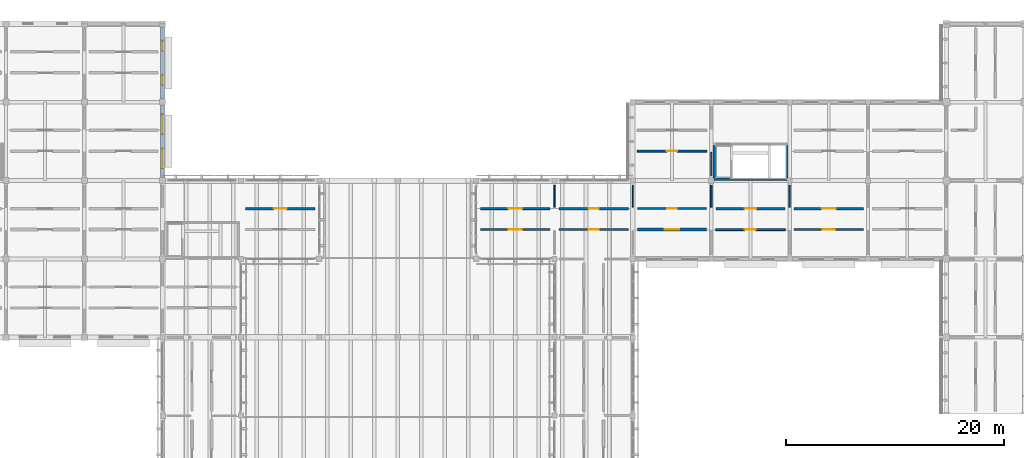
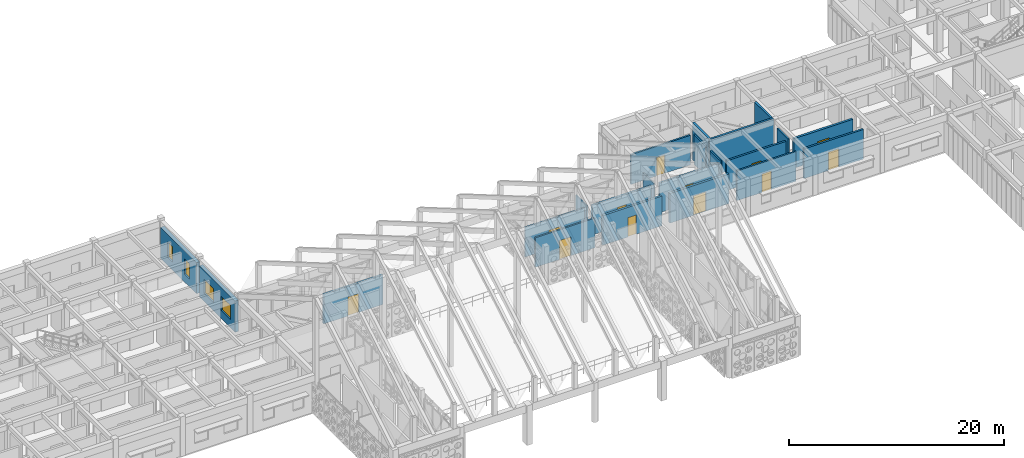
# One storey, part 131 of 171: 22 walls, 12 doors, 4 windows, 16 openings.
"""IFC4 building model written with IfcOpenShell, lengths in metres."""

from ifc_helpers import new_model, si_unit, direction, frame, frame_2d, origin, place, context, subcontext, project, spatial, rectangle, extrude, material, layer, layer_set, type_object, element, fill, save


model = new_model("IFC4")

# Units and contexts
model_context = context("Model", 3, precision=1e-05, world=origin(), true_north=direction((0.0, 1.0)))
body_context = subcontext(model_context, "Body", "Model", "MODEL_VIEW")
ifc_project = project(units=[si_unit("LENGTHUNIT", "METRE"), si_unit("AREAUNIT", "SQUARE_METRE"), si_unit("VOLUMEUNIT", "CUBIC_METRE"), si_unit("PLANEANGLEUNIT", "RADIAN"), si_unit("MASSUNIT", "GRAM", prefix="KILO")], contexts=[model_context])

# Site, building, storey
site_placement = place(None, origin())
site = spatial("IfcSite", under=ifc_project, at=site_placement, CompositionType="ELEMENT")
building_placement = place(site_placement, origin())
building = spatial("IfcBuilding", under=site, at=building_placement, Name="Aldebral Square Health Centre", CompositionType="ELEMENT")
storey_placement = place(building_placement, frame((0.0, 0.0, 4.5)))
storey = spatial("IfcBuildingStorey", under=building, at=storey_placement, Name="L01", CompositionType="ELEMENT", Elevation=4.5)

# Wall, openings, windows
ifc_material_1 = material(Name="Lead-lined concrete C40/50 radiology exterior wall", Category="concrete")
ifc_layer_1 = layer(ifc_material_1, 0.3798828125, Name="Lead-lined concrete C40/50 radiology exterior wall", Category="concrete")
ifc_layer_set_1 = layer_set([ifc_layer_1], Name="Lead-lined concrete C40/50 radiology exterior wall")
wall_type_1 = type_object("IfcWallType", Name="EW-SHD-380", PredefinedType="SOLIDWALL", material=ifc_layer_set_1)
wall_1_placement = place(storey_placement, frame((64.800048828125, 101.074951171875, 0.0), z_axis=(0.0, 0.0, 1.0), x_axis=(0.0, 1.0, 0.0)))
wall_1 = element("IfcWall", 1, at=wall_1_placement, inside=storey, type_object=wall_type_1, Name="L01 V2 exterior wall L01-V2-08-14-E", PredefinedType="SOLIDWALL", context=body_context, shape_type="SweptSolid", body=[
    extrude(rectangle(XDim=6.650146484375, YDim=0.3798828125, at=frame_2d((3.3251953125, 0.0))), origin(), (0.0, 0.0, 1.0), 3.52001953125),
])
opening_1_placement = place(wall_1_placement, frame((0.85009765625, 0.0, 0.89990234375)))
opening_1 = element("IfcOpeningElement", 2, at=opening_1_placement, cuts=wall_1, Name="Opening W34", PredefinedType="OPENING", context=body_context, shape_type="SweptSolid", body=[
    extrude(rectangle(XDim=1.800048828125, YDim=1.6201171875, at=frame_2d((0.89990234375, 0.81005859375))), frame((0.0, 0.199951171875, 0.0), z_axis=(0.0, -1.0, 0.0), x_axis=(1.0, 0.0, 0.0)), (0.0, 0.0, 1.0), 0.39990234375),
])
opening_2_placement = place(wall_1_placement, frame((4.0, 0.0, 0.89990234375)))
opening_2 = element("IfcOpeningElement", 3, at=opening_2_placement, cuts=wall_1, Name="Opening W34", PredefinedType="OPENING", context=body_context, shape_type="SweptSolid", body=[
    extrude(rectangle(XDim=1.800048828125, YDim=1.6201171875, at=frame_2d((0.89990234375, 0.81005859375))), frame((0.0, 0.199951171875, 0.0), z_axis=(0.0, -1.0, 0.0), x_axis=(1.0, 0.0, 0.0)), (0.0, 0.0, 1.0), 0.39990234375),
])
ifc_material_2 = material(Name="Thermally broken aluminium and low-E glass", Category="aluminium")
window_type_1 = type_object("IfcWindowType", Name="WIN-W34", PartitioningType="SINGLE_PANEL", PredefinedType="WINDOW", material=ifc_material_2)
window_1_placement = place(opening_1_placement, origin())
window_1 = element("IfcWindow", 4, at=window_1_placement, inside=storey, type_object=window_type_1, Name="L01 clinical window L01-V2-08-14-E.1", OverallHeight=1.6201171875, OverallWidth=1.800048828125, PartitioningType="SINGLE_PANEL", PredefinedType="WINDOW", context=body_context, shape_type="SweptSolid", body=[
    extrude(rectangle(XDim=1.800048828125, YDim=1.6201171875, at=frame_2d((0.89990234375, 0.81005859375))), frame((0.0, 0.030029296875, 0.0), z_axis=(0.0, -1.0, 0.0), x_axis=(1.0, 0.0, 0.0)), (0.0, 0.0, 1.0), 0.06005859375),
])
fill(opening_1, window_1)
window_2_placement = place(opening_2_placement, origin())
window_2 = element("IfcWindow", 5, at=window_2_placement, inside=storey, type_object=window_type_1, Name="L01 clinical window L01-V2-08-14-E.2", OverallHeight=1.6201171875, OverallWidth=1.800048828125, PartitioningType="SINGLE_PANEL", PredefinedType="WINDOW", context=body_context, shape_type="SweptSolid", body=[
    extrude(rectangle(XDim=1.800048828125, YDim=1.6201171875, at=frame_2d((0.89990234375, 0.81005859375))), frame((0.0, 0.030029296875, 0.0), z_axis=(0.0, -1.0, 0.0), x_axis=(1.0, 0.0, 0.0)), (0.0, 0.0, 1.0), 0.06005859375),
])
fill(opening_2, window_2)

wall_2_placement = place(storey_placement, frame((64.800048828125, 108.27490234375, 0.0), z_axis=(0.0, 0.0, 1.0), x_axis=(0.0, 1.0, 0.0)))
wall_2 = element("IfcWall", 6, at=wall_2_placement, inside=storey, type_object=wall_type_1, Name="L01 V2 exterior wall L01-V2-08-15-E", PredefinedType="SOLIDWALL", context=body_context, shape_type="SweptSolid", body=[
    extrude(rectangle(XDim=6.650146484375, YDim=0.3798828125, at=frame_2d((3.3251953125, 0.0))), origin(), (0.0, 0.0, 1.0), 3.52001953125),
])
opening_3_placement = place(wall_2_placement, frame((1.300048828125, 0.0, 0.89990234375)))
opening_3 = element("IfcOpeningElement", 7, at=opening_3_placement, cuts=wall_2, Name="Opening W37", PredefinedType="OPENING", context=body_context, shape_type="SweptSolid", body=[
    extrude(rectangle(XDim=0.89990234375, YDim=1.75, at=frame_2d((0.449951171875, 0.875))), frame((0.0, 0.199951171875, 0.0), z_axis=(0.0, -1.0, 0.0), x_axis=(1.0, 0.0, 0.0)), (0.0, 0.0, 1.0), 0.39990234375),
])
opening_4_placement = place(wall_2_placement, frame((4.449951171875, 0.0, 0.89990234375)))
opening_4 = element("IfcOpeningElement", 8, at=opening_4_placement, cuts=wall_2, Name="Opening W37", PredefinedType="OPENING", context=body_context, shape_type="SweptSolid", body=[
    extrude(rectangle(XDim=0.89990234375, YDim=1.75, at=frame_2d((0.449951171875, 0.875))), frame((0.0, 0.199951171875, 0.0), z_axis=(0.0, -1.0, 0.0), x_axis=(1.0, 0.0, 0.0)), (0.0, 0.0, 1.0), 0.39990234375),
])
window_type_2 = type_object("IfcWindowType", Name="WIN-W37", PartitioningType="SINGLE_PANEL", PredefinedType="WINDOW", material=ifc_material_2)
window_3_placement = place(opening_3_placement, origin())
window_3 = element("IfcWindow", 9, at=window_3_placement, inside=storey, type_object=window_type_2, Name="L01 clinical window L01-V2-08-15-E.1", OverallHeight=1.75, OverallWidth=0.89990234375, PartitioningType="SINGLE_PANEL", PredefinedType="WINDOW", context=body_context, shape_type="SweptSolid", body=[
    extrude(rectangle(XDim=0.89990234375, YDim=1.75, at=frame_2d((0.449951171875, 0.875))), frame((0.0, 0.030029296875, 0.0), z_axis=(0.0, -1.0, 0.0), x_axis=(1.0, 0.0, 0.0)), (0.0, 0.0, 1.0), 0.06005859375),
])
fill(opening_3, window_3)
window_4_placement = place(opening_4_placement, origin())
window_4 = element("IfcWindow", 10, at=window_4_placement, inside=storey, type_object=window_type_2, Name="L01 clinical window L01-V2-08-15-E.2", OverallHeight=1.75, OverallWidth=0.89990234375, PartitioningType="SINGLE_PANEL", PredefinedType="WINDOW", context=body_context, shape_type="SweptSolid", body=[
    extrude(rectangle(XDim=0.89990234375, YDim=1.75, at=frame_2d((0.449951171875, 0.875))), frame((0.0, 0.030029296875, 0.0), z_axis=(0.0, -1.0, 0.0), x_axis=(1.0, 0.0, 0.0)), (0.0, 0.0, 1.0), 0.06005859375),
])
fill(opening_4, window_4)

# Wall, opening, door
ifc_material_3 = material(Name="Concrete C35/45 compartment wall", Category="concrete")
ifc_layer_2 = layer(ifc_material_3, 0.199951171875, Name="Concrete C35/45 compartment wall", Category="concrete")
ifc_layer_set_2 = layer_set([ifc_layer_2], Name="Concrete C35/45 compartment wall")
wall_type_2 = type_object("IfcWallType", Name="IW-CMP-200", PredefinedType="SOLIDWALL", material=ifc_layer_set_2)
wall_3_placement = place(storey_placement, frame((108.419921875, 98.219970703125, 0.0), z_axis=(0.0, 0.0, 1.0), x_axis=(1.0, 0.0, 0.0)))
wall_3 = element("IfcWall", 11, at=wall_3_placement, inside=storey, type_object=wall_type_2, Name="L01 Pulmonary Function Clinic 16.14N corridor wall", PredefinedType="SOLIDWALL", context=body_context, shape_type="SweptSolid", body=[
    extrude(rectangle(XDim=6.360107421875, YDim=0.199951171875, at=frame_2d((3.18017578125, 0.0))), origin(), (0.0, 0.0, 1.0), 3.360107421875),
])
opening_5_placement = place(wall_3_placement, frame((2.72998046875, 0.0, 0.0)))
opening_5 = element("IfcOpeningElement", 12, at=opening_5_placement, cuts=wall_3, Name="Opening D-0307", PredefinedType="OPENING", context=body_context, shape_type="SweptSolid", body=[
    extrude(rectangle(XDim=0.89990234375, YDim=2.090087890625, at=frame_2d((0.449951171875, 1.044921875))), frame((0.0, 0.10986328125, 0.0), z_axis=(0.0, -1.0, 0.0), x_axis=(1.0, 0.0, 0.0)), (0.0, 0.0, 1.0), 0.219970703125),
])
ifc_material_4 = material(Name="Clinical suite fire door")
door_type_1 = type_object("IfcDoorType", Name="ID-EXD-16", OperationType="NOTDEFINED", PredefinedType="DOOR", material=ifc_material_4)
door_1_placement = place(opening_5_placement, origin())
door_1 = element("IfcDoor", 13, at=door_1_placement, inside=storey, type_object=door_type_1, Name="L01 Pulmonary Function Clinic 16.14N door", OperationType="SINGLE_SWING_RIGHT", OverallHeight=2.090087890625, OverallWidth=0.89990234375, PredefinedType="DOOR", context=body_context, shape_type="SweptSolid", body=[
    extrude(rectangle(XDim=0.89990234375, YDim=2.090087890625, at=frame_2d((0.449951171875, 1.044921875))), frame((0.0, 0.02490234375, 0.0), z_axis=(0.0, -1.0, 0.0), x_axis=(1.0, 0.0, 0.0)), (0.0, 0.0, 1.0), 0.050048828125),
])
fill(opening_5, door_1)

ifc_layer_3 = layer(ifc_material_3, 0.219970703125, Name="Concrete C35/45 compartment wall", Category="concrete")
ifc_layer_set_3 = layer_set([ifc_layer_3], Name="Concrete C35/45 compartment wall")
wall_type_3 = type_object("IfcWallType", Name="IW-CMP-220", PredefinedType="SOLIDWALL", material=ifc_layer_set_3)
wall_4_placement = place(storey_placement, frame((101.219970703125, 96.300048828125, 0.0), z_axis=(0.0, 0.0, 1.0), x_axis=(1.0, 0.0, 0.0)))
wall_4 = element("IfcWall", 14, at=wall_4_placement, inside=storey, type_object=wall_type_3, Name="L01 Waiting Gallery 15.14S corridor wall", PredefinedType="SOLIDWALL", context=body_context, shape_type="SweptSolid", body=[
    extrude(rectangle(XDim=6.360107421875, YDim=0.219970703125, at=frame_2d((3.18017578125, 0.0))), origin(), (0.0, 0.0, 1.0), 3.360107421875),
])
opening_6_placement = place(wall_4_placement, frame((2.72998046875, 0.0, 0.0)))
opening_6 = element("IfcOpeningElement", 15, at=opening_6_placement, cuts=wall_4, Name="Opening D-0201", PredefinedType="OPENING", context=body_context, shape_type="SweptSolid", body=[
    extrude(rectangle(XDim=0.89990234375, YDim=2.18994140625, at=frame_2d((0.449951171875, 1.094970703125))), frame((0.0, 0.1201171875, 0.0), z_axis=(0.0, -1.0, 0.0), x_axis=(1.0, 0.0, 0.0)), (0.0, 0.0, 1.0), 0.239990234375),
])
door_type_2 = type_object("IfcDoorType", Name="ID-EXD-48", OperationType="NOTDEFINED", PredefinedType="DOOR", material=ifc_material_4)
door_2_placement = place(opening_6_placement, origin())
door_2 = element("IfcDoor", 16, at=door_2_placement, inside=storey, type_object=door_type_2, Name="L01 Waiting Gallery 15.14S door", OperationType="SINGLE_SWING_RIGHT", OverallHeight=2.18994140625, OverallWidth=0.89990234375, PredefinedType="DOOR", context=body_context, shape_type="SweptSolid", body=[
    extrude(rectangle(XDim=0.89990234375, YDim=2.18994140625, at=frame_2d((0.449951171875, 1.094970703125))), frame((0.0, 0.02490234375, 0.0), z_axis=(0.0, -1.0, 0.0), x_axis=(1.0, 0.0, 0.0)), (0.0, 0.0, 1.0), 0.050048828125),
])
fill(opening_6, door_2)

wall_5_placement = place(storey_placement, frame((101.219970703125, 98.219970703125, 0.0), z_axis=(0.0, 0.0, 1.0), x_axis=(1.0, 0.0, 0.0)))
wall_5 = element("IfcWall", 17, at=wall_5_placement, inside=storey, type_object=wall_type_3, Name="L01 Patient Information Desk 15.14N corridor wall", PredefinedType="SOLIDWALL", context=body_context, shape_type="SweptSolid", body=[
    extrude(rectangle(XDim=6.360107421875, YDim=0.219970703125, at=frame_2d((3.18017578125, 0.0))), origin(), (0.0, 0.0, 1.0), 3.360107421875),
])
opening_7_placement = place(wall_5_placement, frame((2.7099609375, 0.0, 0.0)))
opening_7 = element("IfcOpeningElement", 18, at=opening_7_placement, cuts=wall_5, Name="Opening D-0202", PredefinedType="OPENING", context=body_context, shape_type="SweptSolid", body=[
    extrude(rectangle(XDim=0.93994140625, YDim=2.18994140625, at=frame_2d((0.469970703125, 1.094970703125))), frame((0.0, 0.1201171875, 0.0), z_axis=(0.0, -1.0, 0.0), x_axis=(1.0, 0.0, 0.0)), (0.0, 0.0, 1.0), 0.239990234375),
])
door_type_3 = type_object("IfcDoorType", Name="ID-EXD-49", OperationType="NOTDEFINED", PredefinedType="DOOR", material=ifc_material_4)
door_3_placement = place(opening_7_placement, origin())
door_3 = element("IfcDoor", 19, at=door_3_placement, inside=storey, type_object=door_type_3, Name="L01 Patient Information Desk 15.14N door", OperationType="SINGLE_SWING_LEFT", OverallHeight=2.18994140625, OverallWidth=0.93994140625, PredefinedType="DOOR", context=body_context, shape_type="SweptSolid", body=[
    extrude(rectangle(XDim=0.93994140625, YDim=2.18994140625, at=frame_2d((0.469970703125, 1.094970703125))), frame((0.0, 0.02490234375, 0.0), z_axis=(0.0, -1.0, 0.0), x_axis=(1.0, 0.0, 0.0)), (0.0, 0.0, 1.0), 0.050048828125),
])
fill(opening_7, door_3)

ifc_material_5 = material(Name="Fire-rated acoustic gypsum partition")
ifc_layer_4 = layer(ifc_material_5, 0.1650390625, Name="Fire-rated acoustic gypsum partition")
ifc_layer_set_4 = layer_set([ifc_layer_4], Name="Fire-rated acoustic gypsum partition")
wall_type_4 = type_object("IfcWallType", Name="IW-COR-165", PredefinedType="PARTITIONING", material=ifc_layer_set_4)
wall_6_placement = place(storey_placement, frame((94.02001953125, 96.300048828125, 0.0), z_axis=(0.0, 0.0, 1.0), x_axis=(1.0, 0.0, 0.0)))
wall_6 = element("IfcWall", 20, at=wall_6_placement, inside=storey, type_object=wall_type_4, Name="L01 Waiting Gallery 14.14S corridor wall", PredefinedType="PARTITIONING", context=body_context, shape_type="SweptSolid", body=[
    extrude(rectangle(XDim=6.35986328125, YDim=0.1650390625, at=frame_2d((3.179931640625, 0.0))), origin(), (0.0, 0.0, 1.0), 3.360107421875),
])
opening_8_placement = place(wall_6_placement, frame((2.570068359375, 0.0, 0.0)))
opening_8 = element("IfcOpeningElement", 21, at=opening_8_placement, cuts=wall_6, Name="Opening D-0193", PredefinedType="OPENING", context=body_context, shape_type="SweptSolid", body=[
    extrude(rectangle(XDim=1.219970703125, YDim=2.139892578125, at=frame_2d((0.60986328125, 1.06982421875))), frame((0.0, 0.092529296875, 0.0), z_axis=(0.0, -1.0, 0.0), x_axis=(1.0, 0.0, 0.0)), (0.0, 0.0, 1.0), 0.18505859375),
])
door_type_4 = type_object("IfcDoorType", Name="ID-EXD-40", OperationType="NOTDEFINED", PredefinedType="DOOR", material=ifc_material_4)
door_4_placement = place(opening_8_placement, origin())
door_4 = element("IfcDoor", 22, at=door_4_placement, inside=storey, type_object=door_type_4, Name="L01 Waiting Gallery 14.14S door", OperationType="SINGLE_SWING_RIGHT", OverallHeight=2.139892578125, OverallWidth=1.219970703125, PredefinedType="DOOR", context=body_context, shape_type="SweptSolid", body=[
    extrude(rectangle(XDim=1.219970703125, YDim=2.139892578125, at=frame_2d((0.60986328125, 1.06982421875))), frame((0.0, 0.02490234375, 0.0), z_axis=(0.0, -1.0, 0.0), x_axis=(1.0, 0.0, 0.0)), (0.0, 0.0, 1.0), 0.050048828125),
])
fill(opening_8, door_4)

wall_7_placement = place(storey_placement, frame((94.02001953125, 98.219970703125, 0.0), z_axis=(0.0, 0.0, 1.0), x_axis=(1.0, 0.0, 0.0)))
wall_7 = element("IfcWall", 23, at=wall_7_placement, inside=storey, type_object=wall_type_4, Name="L01 Patient Information Desk 14.14N corridor wall", PredefinedType="PARTITIONING", context=body_context, shape_type="SweptSolid", body=[
    extrude(rectangle(XDim=6.35986328125, YDim=0.1650390625, at=frame_2d((3.179931640625, 0.0))), origin(), (0.0, 0.0, 1.0), 3.360107421875),
])
opening_9_placement = place(wall_7_placement, frame((2.550048828125, 0.0, 0.0)))
opening_9 = element("IfcOpeningElement", 24, at=opening_9_placement, cuts=wall_7, Name="Opening D-0194", PredefinedType="OPENING", context=body_context, shape_type="SweptSolid", body=[
    extrude(rectangle(XDim=1.260009765625, YDim=2.139892578125, at=frame_2d((0.6298828125, 1.06982421875))), frame((0.0, 0.092529296875, 0.0), z_axis=(0.0, -1.0, 0.0), x_axis=(1.0, 0.0, 0.0)), (0.0, 0.0, 1.0), 0.18505859375),
])
door_type_5 = type_object("IfcDoorType", Name="ID-EXD-41", OperationType="NOTDEFINED", PredefinedType="DOOR", material=ifc_material_4)
door_5_placement = place(opening_9_placement, origin())
door_5 = element("IfcDoor", 25, at=door_5_placement, inside=storey, type_object=door_type_5, Name="L01 Patient Information Desk 14.14N door", OperationType="SINGLE_SWING_LEFT", OverallHeight=2.139892578125, OverallWidth=1.260009765625, PredefinedType="DOOR", context=body_context, shape_type="SweptSolid", body=[
    extrude(rectangle(XDim=1.260009765625, YDim=2.139892578125, at=frame_2d((0.6298828125, 1.06982421875))), frame((0.0, 0.02490234375, 0.0), z_axis=(0.0, -1.0, 0.0), x_axis=(1.0, 0.0, 0.0)), (0.0, 0.0, 1.0), 0.050048828125),
])
fill(opening_9, door_5)

ifc_layer_5 = layer(ifc_material_5, 0.179931640625, Name="Fire-rated acoustic gypsum partition")
ifc_layer_set_5 = layer_set([ifc_layer_5], Name="Fire-rated acoustic gypsum partition")
wall_type_5 = type_object("IfcWallType", Name="IW-COR-180", PredefinedType="PARTITIONING", material=ifc_layer_set_5)
wall_8_placement = place(storey_placement, frame((108.419921875, 103.5, 0.0), z_axis=(0.0, 0.0, 1.0), x_axis=(1.0, 0.0, 0.0)))
wall_8 = element("IfcWall", 26, at=wall_8_placement, inside=storey, type_object=wall_type_5, Name="L01 Audiology Testing Booth 16.15S corridor wall", PredefinedType="PARTITIONING", context=body_context, shape_type="SweptSolid", body=[
    extrude(rectangle(XDim=6.360107421875, YDim=0.179931640625, at=frame_2d((3.18017578125, 0.0))), origin(), (0.0, 0.0, 1.0), 3.360107421875),
])
opening_10_placement = place(wall_8_placement, frame((2.7099609375, 0.0, 0.0)))
opening_10 = element("IfcOpeningElement", 27, at=opening_10_placement, cuts=wall_8, Name="Opening D-0308", PredefinedType="OPENING", context=body_context, shape_type="SweptSolid", body=[
    extrude(rectangle(XDim=0.93994140625, YDim=2.090087890625, at=frame_2d((0.469970703125, 1.044921875))), frame((0.0, 0.10009765625, 0.0), z_axis=(0.0, -1.0, 0.0), x_axis=(1.0, 0.0, 0.0)), (0.0, 0.0, 1.0), 0.199951171875),
])
door_type_6 = type_object("IfcDoorType", Name="ID-EXD-17", OperationType="NOTDEFINED", PredefinedType="DOOR", material=ifc_material_4)
door_6_placement = place(opening_10_placement, origin())
door_6 = element("IfcDoor", 28, at=door_6_placement, inside=storey, type_object=door_type_6, Name="L01 Audiology Testing Booth 16.15S door", OperationType="SINGLE_SWING_LEFT", OverallHeight=2.090087890625, OverallWidth=0.93994140625, PredefinedType="DOOR", context=body_context, shape_type="SweptSolid", body=[
    extrude(rectangle(XDim=0.93994140625, YDim=2.090087890625, at=frame_2d((0.469970703125, 1.044921875))), frame((0.0, 0.02490234375, 0.0), z_axis=(0.0, -1.0, 0.0), x_axis=(1.0, 0.0, 0.0)), (0.0, 0.0, 1.0), 0.050048828125),
])
fill(opening_10, door_6)

wall_9_placement = place(storey_placement, frame((115.6201171875, 96.300048828125, 0.0), z_axis=(0.0, 0.0, 1.0), x_axis=(1.0, 0.0, 0.0)))
wall_9 = element("IfcWall", 29, at=wall_9_placement, inside=storey, type_object=wall_type_5, Name="L01 Clean Supply Store 17.14S corridor wall", PredefinedType="PARTITIONING", context=body_context, shape_type="SweptSolid", body=[
    extrude(rectangle(XDim=6.35986328125, YDim=0.179931640625, at=frame_2d((3.179931640625, 0.0))), origin(), (0.0, 0.0, 1.0), 3.360107421875),
])
opening_11_placement = place(wall_9_placement, frame((2.669921875, 0.0, 0.0)))
opening_11 = element("IfcOpeningElement", 30, at=opening_11_placement, cuts=wall_9, Name="Opening D-0310", PredefinedType="OPENING", context=body_context, shape_type="SweptSolid", body=[
    extrude(rectangle(XDim=1.02001953125, YDim=2.090087890625, at=frame_2d((0.510009765625, 1.044921875))), frame((0.0, 0.10009765625, 0.0), z_axis=(0.0, -1.0, 0.0), x_axis=(1.0, 0.0, 0.0)), (0.0, 0.0, 1.0), 0.199951171875),
])
door_type_7 = type_object("IfcDoorType", Name="ID-EXD-19", OperationType="NOTDEFINED", PredefinedType="DOOR", material=ifc_material_4)
door_7_placement = place(opening_11_placement, origin())
door_7 = element("IfcDoor", 31, at=door_7_placement, inside=storey, type_object=door_type_7, Name="L01 Clean Supply Store 17.14S door", OperationType="SINGLE_SWING_LEFT", OverallHeight=2.090087890625, OverallWidth=1.02001953125, PredefinedType="DOOR", context=body_context, shape_type="SweptSolid", body=[
    extrude(rectangle(XDim=1.02001953125, YDim=2.090087890625, at=frame_2d((0.510009765625, 1.044921875))), frame((0.0, 0.02490234375, 0.0), z_axis=(0.0, -1.0, 0.0), x_axis=(1.0, 0.0, 0.0)), (0.0, 0.0, 1.0), 0.050048828125),
])
fill(opening_11, door_7)

# Walls
ifc_material_6 = material(Name="Concrete C40/50", Category="concrete")
ifc_layer_6 = layer(ifc_material_6, 0.219970703125, Name="Concrete C40/50", Category="concrete")
ifc_layer_set_6 = layer_set([ifc_layer_6], Name="Concrete C40/50")
wall_type_6 = type_object("IfcWallType", Name="IW-CORE-280", PredefinedType="SHEAR", material=ifc_layer_set_6)
wall_10_placement = place(storey_placement, frame((115.360107421875, 100.929931640625, 0.0), z_axis=(0.0, 0.0, 1.0), x_axis=(1.0, 0.0, 0.0)))
element("IfcWall", 32, at=wall_10_placement, inside=storey, type_object=wall_type_6, Name="L01 WS-S10 shaft wall S", PredefinedType="SHEAR", context=body_context, shape_type="SweptSolid", body=[
    extrude(rectangle(XDim=6.8798828125, YDim=0.219970703125, at=frame_2d((3.43994140625, 0.0))), origin(), (0.0, 0.0, 1.0), 4.219970703125),
])
for number, where, z_axis, x_axis, name in (
    (33, (115.469970703125, 101.0400390625, 0.0), (0.0, 0.0, 1.0), (0.0, 1.0, 0.0), "L01 WS-S10 shaft wall W"),
    (34, (122.1298828125, 101.0400390625, 0.0), (0.0, 0.0, 1.0), (0.0, 1.0, 0.0), "L01 WS-S10 shaft wall E"),
):
    element("IfcWall", number, at=place(storey_placement, frame(where, z_axis=z_axis, x_axis=x_axis)), inside=storey, type_object=wall_type_6, Name=name, PredefinedType="SHEAR", context=body_context, shape_type="SweptSolid", body=[
        extrude(rectangle(XDim=3.0, YDim=0.219970703125, at=frame_2d((1.5, 0.0))), origin(), (0.0, 0.0, 1.0), 4.219970703125),
    ])

# Wall, opening, door
ifc_material_7 = material(Name="Moisture-resistant sanitary chase wall")
ifc_layer_7 = layer(ifc_material_7, 0.2099609375, Name="Moisture-resistant sanitary chase wall")
ifc_layer_set_7 = layer_set([ifc_layer_7], Name="Moisture-resistant sanitary chase wall")
wall_type_7 = type_object("IfcWallType", Name="IW-PLB-210", PredefinedType="PLUMBINGWALL", material=ifc_layer_set_7)
wall_11_placement = place(storey_placement, frame((72.419921875, 98.219970703125, 0.0), z_axis=(0.0, 0.0, 1.0), x_axis=(1.0, 0.0, 0.0)))
wall_11 = element("IfcWall", 35, at=wall_11_placement, inside=storey, type_object=wall_type_7, Name="L01 Accessible WC 11.14N corridor wall", PredefinedType="PLUMBINGWALL", context=body_context, shape_type="SweptSolid", body=[
    extrude(rectangle(XDim=6.360107421875, YDim=0.2099609375, at=frame_2d((3.18017578125, 0.0))), origin(), (0.0, 0.0, 1.0), 3.360107421875),
])
opening_12_placement = place(wall_11_placement, frame((2.590087890625, 0.0, 0.0)))
opening_12 = element("IfcOpeningElement", 36, at=opening_12_placement, cuts=wall_11, Name="Opening D-0192", PredefinedType="OPENING", context=body_context, shape_type="SweptSolid", body=[
    extrude(rectangle(XDim=1.179931640625, YDim=2.139892578125, at=frame_2d((0.58984375, 1.06982421875))), frame((0.0, 0.114990234375, 0.0), z_axis=(0.0, -1.0, 0.0), x_axis=(1.0, 0.0, 0.0)), (0.0, 0.0, 1.0), 0.22998046875),
])
door_type_8 = type_object("IfcDoorType", Name="ID-EXD-39", OperationType="NOTDEFINED", PredefinedType="DOOR", material=ifc_material_4)
door_8_placement = place(opening_12_placement, origin())
door_8 = element("IfcDoor", 37, at=door_8_placement, inside=storey, type_object=door_type_8, Name="L01 Accessible WC 11.14N door", OperationType="SINGLE_SWING_LEFT", OverallHeight=2.139892578125, OverallWidth=1.179931640625, PredefinedType="DOOR", context=body_context, shape_type="SweptSolid", body=[
    extrude(rectangle(XDim=1.179931640625, YDim=2.139892578125, at=frame_2d((0.58984375, 1.06982421875))), frame((0.0, 0.02490234375, 0.0), z_axis=(0.0, -1.0, 0.0), x_axis=(1.0, 0.0, 0.0)), (0.0, 0.0, 1.0), 0.050048828125),
])
fill(opening_12, door_8)

wall_12_placement = place(storey_placement, frame((115.6201171875, 98.219970703125, 0.0), z_axis=(0.0, 0.0, 1.0), x_axis=(1.0, 0.0, 0.0)))
wall_12 = element("IfcWall", 38, at=wall_12_placement, inside=storey, type_object=wall_type_7, Name="L01 Accessible WC 17.14N corridor wall", PredefinedType="PLUMBINGWALL", context=body_context, shape_type="SweptSolid", body=[
    extrude(rectangle(XDim=6.35986328125, YDim=0.2099609375, at=frame_2d((3.179931640625, 0.0))), origin(), (0.0, 0.0, 1.0), 3.360107421875),
])
opening_13_placement = place(wall_12_placement, frame((2.64990234375, 0.0, 0.0)))
opening_13 = element("IfcOpeningElement", 39, at=opening_13_placement, cuts=wall_12, Name="Opening D-0311", PredefinedType="OPENING", context=body_context, shape_type="SweptSolid", body=[
    extrude(rectangle(XDim=1.06005859375, YDim=2.090087890625, at=frame_2d((0.530029296875, 1.044921875))), frame((0.0, 0.114990234375, 0.0), z_axis=(0.0, -1.0, 0.0), x_axis=(1.0, 0.0, 0.0)), (0.0, 0.0, 1.0), 0.22998046875),
])
door_type_9 = type_object("IfcDoorType", Name="ID-EXD-20", OperationType="NOTDEFINED", PredefinedType="DOOR", material=ifc_material_4)
door_9_placement = place(opening_13_placement, origin())
door_9 = element("IfcDoor", 40, at=door_9_placement, inside=storey, type_object=door_type_9, Name="L01 Accessible WC 17.14N door", OperationType="SINGLE_SWING_RIGHT", OverallHeight=2.090087890625, OverallWidth=1.06005859375, PredefinedType="DOOR", context=body_context, shape_type="SweptSolid", body=[
    extrude(rectangle(XDim=1.06005859375, YDim=2.090087890625, at=frame_2d((0.530029296875, 1.044921875))), frame((0.0, 0.02490234375, 0.0), z_axis=(0.0, -1.0, 0.0), x_axis=(1.0, 0.0, 0.0)), (0.0, 0.0, 1.0), 0.050048828125),
])
fill(opening_13, door_9)

wall_13_placement = place(storey_placement, frame((122.820068359375, 96.300048828125, 0.0), z_axis=(0.0, 0.0, 1.0), x_axis=(1.0, 0.0, 0.0)))
wall_13 = element("IfcWall", 41, at=wall_13_placement, inside=storey, type_object=wall_type_7, Name="L01 Patient Toilet 18.14S corridor wall", PredefinedType="PLUMBINGWALL", context=body_context, shape_type="SweptSolid", body=[
    extrude(rectangle(XDim=6.35986328125, YDim=0.2099609375, at=frame_2d((3.179931640625, 0.0))), origin(), (0.0, 0.0, 1.0), 3.360107421875),
])
opening_14_placement = place(wall_13_placement, frame((2.6298828125, 0.0, 0.0)))
opening_14 = element("IfcOpeningElement", 42, at=opening_14_placement, cuts=wall_13, Name="Opening D-0312", PredefinedType="OPENING", context=body_context, shape_type="SweptSolid", body=[
    extrude(rectangle(XDim=1.10009765625, YDim=2.090087890625, at=frame_2d((0.550048828125, 1.044921875))), frame((0.0, 0.114990234375, 0.0), z_axis=(0.0, -1.0, 0.0), x_axis=(1.0, 0.0, 0.0)), (0.0, 0.0, 1.0), 0.22998046875),
])
door_type_10 = type_object("IfcDoorType", Name="ID-EXD-21", OperationType="NOTDEFINED", PredefinedType="DOOR", material=ifc_material_4)
door_10_placement = place(opening_14_placement, origin())
door_10 = element("IfcDoor", 43, at=door_10_placement, inside=storey, type_object=door_type_10, Name="L01 Patient Toilet 18.14S door", OperationType="SINGLE_SWING_LEFT", OverallHeight=2.090087890625, OverallWidth=1.10009765625, PredefinedType="DOOR", context=body_context, shape_type="SweptSolid", body=[
    extrude(rectangle(XDim=1.10009765625, YDim=2.090087890625, at=frame_2d((0.550048828125, 1.044921875))), frame((0.0, 0.02490234375, 0.0), z_axis=(0.0, -1.0, 0.0), x_axis=(1.0, 0.0, 0.0)), (0.0, 0.0, 1.0), 0.050048828125),
])
fill(opening_14, door_10)

# Walls
ifc_material_8 = material(Name="Lightweight clinical partition")
ifc_layer_8 = layer(ifc_material_8, 0.10498046875, Name="Lightweight clinical partition")
ifc_layer_set_8 = layer_set([ifc_layer_8], Name="Lightweight clinical partition")
wall_type_8 = type_object("IfcWallType", Name="IW-PRT-105", PredefinedType="PARTITIONING", material=ifc_layer_set_8)
wall_14_placement = place(storey_placement, frame((108.0, 98.340087890625, 0.0), z_axis=(0.0, 0.0, 1.0), x_axis=(0.0, 1.0, 0.0)))
element("IfcWall", 44, at=wall_14_placement, inside=storey, type_object=wall_type_8, Name="L01 Patient Information Desk 15.14N demising partition", PredefinedType="PARTITIONING", context=body_context, shape_type="SweptSolid", body=[
    extrude(rectangle(XDim=2.039794921875, YDim=0.10498046875, at=frame_2d((1.02001953125, 0.0))), origin(), (0.0, 0.0, 1.0), 3.360107421875),
])
ifc_material_9 = material(Name="Acoustic clinical gypsum partition")
ifc_layer_9 = layer(ifc_material_9, 0.1201171875, Name="Acoustic clinical gypsum partition")
ifc_layer_set_9 = layer_set([ifc_layer_9], Name="Acoustic clinical gypsum partition")
wall_type_9 = type_object("IfcWallType", Name="IW-PRT-120", PredefinedType="PARTITIONING", material=ifc_layer_set_9)
wall_15_placement = place(storey_placement, frame((100.800048828125, 98.340087890625, 0.0), z_axis=(0.0, 0.0, 1.0), x_axis=(0.0, 1.0, 0.0)))
element("IfcWall", 45, at=wall_15_placement, inside=storey, type_object=wall_type_9, Name="L01 Patient Information Desk 14.14N demising partition", PredefinedType="PARTITIONING", context=body_context, shape_type="SweptSolid", body=[
    extrude(rectangle(XDim=2.039794921875, YDim=0.1201171875, at=frame_2d((1.02001953125, 0.0))), origin(), (0.0, 0.0, 1.0), 3.360107421875),
])
ifc_layer_10 = layer(ifc_material_9, 0.135009765625, Name="Acoustic clinical gypsum partition")
ifc_layer_set_10 = layer_set([ifc_layer_10], Name="Acoustic clinical gypsum partition")
wall_type_10 = type_object("IfcWallType", Name="IW-PRT-135", PredefinedType="PARTITIONING", material=ifc_layer_set_10)
wall_16_placement = place(storey_placement, frame((115.199951171875, 101.219970703125, 0.0), z_axis=(0.0, 0.0, 1.0), x_axis=(0.0, 1.0, 0.0)))
element("IfcWall", 46, at=wall_16_placement, inside=storey, type_object=wall_type_10, Name="L01 Audiology Testing Booth 16.15S demising partition", PredefinedType="PARTITIONING", context=body_context, shape_type="SweptSolid", body=[
    extrude(rectangle(XDim=2.159912109375, YDim=0.135009765625, at=frame_2d((1.080078125, 0.0))), origin(), (0.0, 0.0, 1.0), 3.360107421875),
])
wall_17_placement = place(storey_placement, frame((122.39990234375, 98.340087890625, 0.0), z_axis=(0.0, 0.0, 1.0), x_axis=(0.0, 1.0, 0.0)))
element("IfcWall", 47, at=wall_17_placement, inside=storey, type_object=wall_type_10, Name="L01 Accessible WC 17.14N demising partition", PredefinedType="PARTITIONING", context=body_context, shape_type="SweptSolid", body=[
    extrude(rectangle(XDim=2.039794921875, YDim=0.135009765625, at=frame_2d((1.02001953125, 0.0))), origin(), (0.0, 0.0, 1.0), 3.360107421875),
])
ifc_layer_11 = layer(ifc_material_9, 0.14990234375, Name="Acoustic clinical gypsum partition")
ifc_layer_set_11 = layer_set([ifc_layer_11], Name="Acoustic clinical gypsum partition")
wall_type_11 = type_object("IfcWallType", Name="IW-PRT-150", PredefinedType="PARTITIONING", material=ifc_layer_set_11)
wall_18_placement = place(storey_placement, frame((115.199951171875, 98.340087890625, 0.0), z_axis=(0.0, 0.0, 1.0), x_axis=(0.0, 1.0, 0.0)))
element("IfcWall", 48, at=wall_18_placement, inside=storey, type_object=wall_type_11, Name="L01 Pulmonary Function Clinic 16.14N demising partition", PredefinedType="PARTITIONING", context=body_context, shape_type="SweptSolid", body=[
    extrude(rectangle(XDim=2.039794921875, YDim=0.14990234375, at=frame_2d((1.02001953125, 0.0))), origin(), (0.0, 0.0, 1.0), 3.360107421875),
])

# Wall, opening, door
ifc_material_10 = material(Name="Lead-lined gypsum and concrete C35/45 barrier", Category="concrete")
ifc_layer_12 = layer(ifc_material_10, 0.239990234375, Name="Lead-lined gypsum and concrete C35/45 barrier", Category="concrete")
ifc_layer_set_12 = layer_set([ifc_layer_12], Name="Lead-lined gypsum and concrete C35/45 barrier")
wall_type_12 = type_object("IfcWallType", Name="IW-RAD-240", PredefinedType="SOLIDWALL", material=ifc_layer_set_12)
wall_19_placement = place(storey_placement, frame((108.419921875, 96.300048828125, 0.0), z_axis=(0.0, 0.0, 1.0), x_axis=(1.0, 0.0, 0.0)))
wall_19 = element("IfcWall", 49, at=wall_19_placement, inside=storey, type_object=wall_type_12, Name="L01 Endoscopy Diagnostic Suite 16.14S corridor wall", PredefinedType="SOLIDWALL", context=body_context, shape_type="SweptSolid", body=[
    extrude(rectangle(XDim=6.360107421875, YDim=0.239990234375, at=frame_2d((3.18017578125, 0.0))), origin(), (0.0, 0.0, 1.0), 3.360107421875),
])
opening_15_placement = place(wall_19_placement, frame((2.5048828125, 0.0, 0.0)))
opening_15 = element("IfcOpeningElement", 50, at=opening_15_placement, cuts=wall_19, Name="Opening D-0306", PredefinedType="OPENING", context=body_context, shape_type="SweptSolid", body=[
    extrude(rectangle(XDim=1.35009765625, YDim=2.199951171875, at=frame_2d((0.675048828125, 1.10009765625))), frame((0.0, 0.1298828125, 0.0), z_axis=(0.0, -1.0, 0.0), x_axis=(1.0, 0.0, 0.0)), (0.0, 0.0, 1.0), 0.260009765625),
])
ifc_material_11 = material(Name="Lead-lined imaging suite door")
door_type_11 = type_object("IfcDoorType", Name="ID-IM-135", OperationType="NOTDEFINED", PredefinedType="DOOR", material=ifc_material_11)
door_11_placement = place(opening_15_placement, origin())
door_11 = element("IfcDoor", 51, at=door_11_placement, inside=storey, type_object=door_type_11, Name="L01 Endoscopy Diagnostic Suite 16.14S door", OperationType="SINGLE_SWING_LEFT", OverallHeight=2.199951171875, OverallWidth=1.35009765625, PredefinedType="DOOR", context=body_context, shape_type="SweptSolid", body=[
    extrude(rectangle(XDim=1.35009765625, YDim=2.199951171875, at=frame_2d((0.675048828125, 1.10009765625))), frame((0.0, 0.02490234375, 0.0), z_axis=(0.0, -1.0, 0.0), x_axis=(1.0, 0.0, 0.0)), (0.0, 0.0, 1.0), 0.050048828125),
])
fill(opening_15, door_11)

wall_20_placement = place(storey_placement, frame((122.820068359375, 98.219970703125, 0.0), z_axis=(0.0, 0.0, 1.0), x_axis=(1.0, 0.0, 0.0)))
wall_20 = element("IfcWall", 52, at=wall_20_placement, inside=storey, type_object=wall_type_12, Name="L01 Endoscopy Diagnostic Suite 18.14N corridor wall", PredefinedType="SOLIDWALL", context=body_context, shape_type="SweptSolid", body=[
    extrude(rectangle(XDim=6.35986328125, YDim=0.239990234375, at=frame_2d((3.179931640625, 0.0))), origin(), (0.0, 0.0, 1.0), 3.360107421875),
])
opening_16_placement = place(wall_20_placement, frame((2.530029296875, 0.0, 0.0)))
opening_16 = element("IfcOpeningElement", 53, at=opening_16_placement, cuts=wall_20, Name="Opening D-0313", PredefinedType="OPENING", context=body_context, shape_type="SweptSolid", body=[
    extrude(rectangle(XDim=1.300048828125, YDim=2.14990234375, at=frame_2d((0.64990234375, 1.074951171875))), frame((0.0, 0.1298828125, 0.0), z_axis=(0.0, -1.0, 0.0), x_axis=(1.0, 0.0, 0.0)), (0.0, 0.0, 1.0), 0.260009765625),
])
ifc_material_12 = material(Name="Radiography shielded fire door")
door_type_12 = type_object("IfcDoorType", Name="ID-IM-130", OperationType="NOTDEFINED", PredefinedType="DOOR", material=ifc_material_12)
door_12_placement = place(opening_16_placement, origin())
door_12 = element("IfcDoor", 54, at=door_12_placement, inside=storey, type_object=door_type_12, Name="L01 Endoscopy Diagnostic Suite 18.14N door", OperationType="SINGLE_SWING_RIGHT", OverallHeight=2.14990234375, OverallWidth=1.300048828125, PredefinedType="DOOR", context=body_context, shape_type="SweptSolid", body=[
    extrude(rectangle(XDim=1.300048828125, YDim=2.14990234375, at=frame_2d((0.64990234375, 1.074951171875))), frame((0.0, 0.02490234375, 0.0), z_axis=(0.0, -1.0, 0.0), x_axis=(1.0, 0.0, 0.0)), (0.0, 0.0, 1.0), 0.050048828125),
])
fill(opening_16, door_12)

save(model, "model.ifc")
